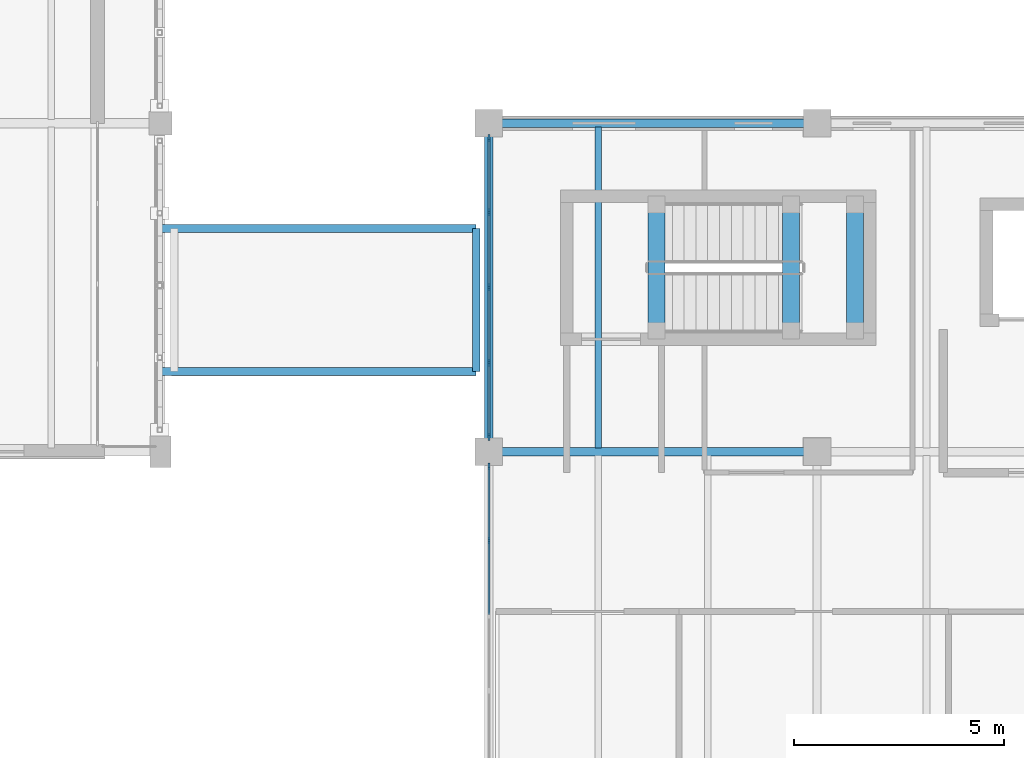
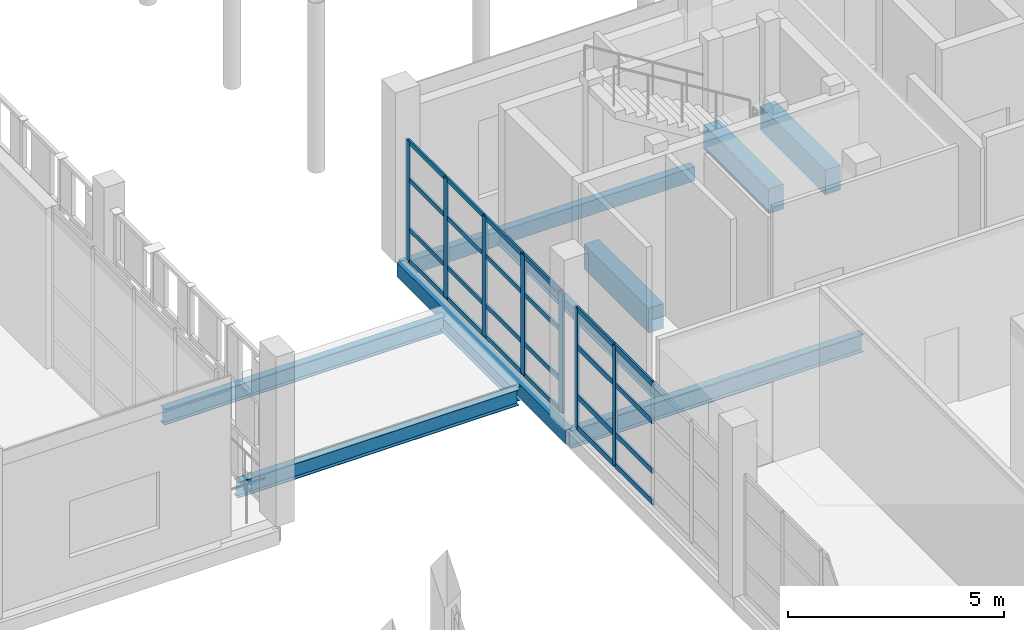
# One storey, part 36 of 138: 31 members, 10 beams, 2 elements without a shape of their own.
"""IFC4 building model written with IfcOpenShell, lengths in metres."""

from ifc_helpers import new_model, si_unit, direction, frame, origin, origin_2d, place, context, subcontext, project, spatial, rectangle, hollow_rectangle, i_section, extrude, material, layer, layer_set, material_profile, profile_set, type_object, element, aggregate, save


model = new_model("IFC4")

# Units and contexts
model_context = context("Model", 3, precision=1e-05, world=origin(), true_north=direction((0.0, 1.0)))
body_context = subcontext(model_context, "Body", "Model", "MODEL_VIEW")
ifc_project = project(units=[si_unit("LENGTHUNIT", "METRE"), si_unit("AREAUNIT", "SQUARE_METRE"), si_unit("VOLUMEUNIT", "CUBIC_METRE"), si_unit("PLANEANGLEUNIT", "RADIAN"), si_unit("MASSUNIT", "GRAM", prefix="KILO")], contexts=[model_context])

# Site, building, storey
site_placement = place(None, origin())
site = spatial("IfcSite", under=ifc_project, at=site_placement, CompositionType="ELEMENT")
building_placement = place(site_placement, origin())
building = spatial("IfcBuilding", under=site, at=building_placement, Name="Celorna Specialist Clinic", CompositionType="ELEMENT")
storey_placement = place(building_placement, frame((0.0, 0.0, 4.800048828125)))
storey = spatial("IfcBuildingStorey", under=building, at=storey_placement, Name="L01", CompositionType="ELEMENT", Elevation=4.800048828125)

# Beams
ifc_material_1 = material(Name="Steel S355", Category="steel")
ifc_material_profile_1 = material_profile(ifc_material_1, i_section(OverallWidth=0.199951171875, OverallDepth=0.5, WebThickness=0.01025390625, FlangeThickness=0.01611328125, at=origin_2d()), Name="IPE 500")
ifc_profile_set_1 = profile_set([ifc_material_profile_1], Name="Steel S355")
beam_type_1 = type_object("IfcBeamType", Name="BM-08", PredefinedType="BEAM", material=ifc_profile_set_1)
beam_1_placement = place(storey_placement, frame((54.60009765625, 35.10009765625, -0.510009765625), z_axis=(1.0, 0.0, 0.0), x_axis=(0.0, 1.0, 0.0)))
element("IfcBeam", 1, at=beam_1_placement, inside=storey, type_object=beam_type_1, Name="Primary girder BM-08 #2071", PredefinedType="BEAM", context=body_context, shape_type="SweptSolid", body=[
    extrude(i_section(OverallWidth=0.199951171875, OverallDepth=0.5, WebThickness=0.01025390625, FlangeThickness=0.01611328125, at=origin_2d()), origin(), (0.0, 0.0, 1.0), 7.7998046875),
])
ifc_material_profile_2 = material_profile(ifc_material_1, i_section(OverallWidth=0.18994140625, OverallDepth=0.449951171875, WebThickness=0.009521484375, FlangeThickness=0.0146484375, at=origin_2d()), Name="IPE 450")
ifc_profile_set_2 = profile_set([ifc_material_profile_2], Name="Steel S355")
beam_type_2 = type_object("IfcBeamType", Name="BM-09", PredefinedType="BEAM", material=ifc_profile_set_2)
for number, where, z_axis, x_axis, name in (
    (2, (46.800048828125, 37.0, -0.364990234375), (1.0, 0.0, 0.0), (0.0, 1.0, 0.0), "Bridge BR-02 edge girder BM-09 #80"),
    (3, (46.800048828125, 40.39990234375, -0.364990234375), (1.0, 0.0, 0.0), (0.0, 1.0, 0.0), "Bridge BR-02 edge girder BM-09 #81"),
):
    element("IfcBeam", number, at=place(storey_placement, frame(where, z_axis=z_axis, x_axis=x_axis)), inside=storey, type_object=beam_type_2, Name=name, PredefinedType="BEAM", context=body_context, shape_type="SweptSolid", body=[
        extrude(i_section(OverallWidth=0.18994140625, OverallDepth=0.449951171875, WebThickness=0.009521484375, FlangeThickness=0.0146484375, at=origin_2d()), origin(), (0.0, 0.0, 1.0), 7.5),
    ])
ifc_material_profile_3 = material_profile(ifc_material_1, i_section(OverallWidth=0.179931640625, OverallDepth=0.39990234375, WebThickness=0.008544921875, FlangeThickness=0.013427734375, at=origin_2d()), Name="IPE 400")
ifc_profile_set_3 = profile_set([ifc_material_profile_3], Name="Steel S355")
beam_type_3 = type_object("IfcBeamType", Name="BM-10", PredefinedType="BEAM", material=ifc_profile_set_3)
beam_2_placement = place(storey_placement, frame((54.300048828125, 37.0, -0.340087890625), z_axis=(0.0, 1.0, 0.0), x_axis=(-1.0, 0.0, 0.0)))
element("IfcBeam", 4, at=beam_2_placement, inside=storey, type_object=beam_type_3, Name="Bridge BR-02 roof end beam BM-10 #83", PredefinedType="BEAM", context=body_context, shape_type="SweptSolid", body=[
    extrude(i_section(OverallWidth=0.179931640625, OverallDepth=0.39990234375, WebThickness=0.008544921875, FlangeThickness=0.013427734375, at=origin_2d()), origin(), (0.0, 0.0, 1.0), 3.39990234375),
])
ifc_material_profile_4 = material_profile(ifc_material_1, i_section(OverallWidth=0.159912109375, OverallDepth=0.330078125, WebThickness=0.007568359375, FlangeThickness=0.011474609375, at=origin_2d()), Name="IPE 330")
ifc_profile_set_4 = profile_set([ifc_material_profile_4], Name="Steel S355")
beam_type_4 = type_object("IfcBeamType", Name="BM-12", PredefinedType="JOIST", material=ifc_profile_set_4)
beam_3_placement = place(storey_placement, frame((57.199951171875, 35.18798828125, -0.425048828125), z_axis=(0.0, 1.0, 0.0), x_axis=(-1.0, 0.0, 0.0)))
element("IfcBeam", 5, at=beam_3_placement, inside=storey, type_object=beam_type_4, Name="Secondary floor joist BM-12 #2097", PredefinedType="JOIST", context=body_context, shape_type="SweptSolid", body=[
    extrude(i_section(OverallWidth=0.159912109375, OverallDepth=0.330078125, WebThickness=0.007568359375, FlangeThickness=0.011474609375, at=origin_2d()), origin(), (0.0, 0.0, 1.0), 7.6240234375),
])
ifc_material_profile_5 = material_profile(ifc_material_1, hollow_rectangle(XDim=0.199951171875, YDim=0.39990234375, WallThickness=0.011962890625, at=origin_2d()), Name="RHS 200x400x12")
ifc_profile_set_5 = profile_set([ifc_material_profile_5], Name="Steel S355")
beam_type_5 = type_object("IfcBeamType", Name="BM-15", PredefinedType="SPANDREL", material=ifc_profile_set_5)
for number, where, z_axis, x_axis, name in (
    (6, (54.60009765625, 42.89990234375, -0.4599609375), (1.0, 0.0, 0.0), (0.0, 1.0, 0.0), "Spandrel beam BM-15 #2075"),
    (7, (54.60009765625, 35.10009765625, -0.4599609375), (0.0, 1.0, 0.0), (-1.0, 0.0, 0.0), "Spandrel beam BM-15 #2081"),
):
    element("IfcBeam", number, at=place(storey_placement, frame(where, z_axis=z_axis, x_axis=x_axis)), inside=storey, type_object=beam_type_5, Name=name, PredefinedType="SPANDREL", context=body_context, shape_type="SweptSolid", body=[
        extrude(hollow_rectangle(XDim=0.199951171875, YDim=0.39990234375, WallThickness=0.011962890625, at=origin_2d()), origin(), (0.0, 0.0, 1.0), 7.7998046875),
    ])
ifc_material_2 = material(Name="Concrete C35/45", Category="concrete")
ifc_material_profile_6 = material_profile(ifc_material_2, rectangle(XDim=0.39990234375, YDim=0.699951171875, at=origin_2d()), Name="RC 400x700")
ifc_profile_set_6 = profile_set([ifc_material_profile_6], Name="Concrete C35/45")
beam_type_6 = type_object("IfcBeamType", Name="BM-19", PredefinedType="BEAM", material=ifc_profile_set_6)
for number, where, z_axis, x_axis, name in (
    (8, (58.580078125, 37.969970703125, -0.275146484375), (0.0, 1.0, 0.0), (-1.0, 0.0, 0.0), "Stair ST-08 floor landing trimmer beam L01"),
    (9, (61.780029296875, 37.969970703125, 1.974853515625), (0.0, 1.0, 0.0), (-1.0, 0.0, 0.0), "Stair ST-08 half-landing beam L01"),
    (10, (63.300048828125, 37.969970703125, 1.974853515625), (0.0, 1.0, 0.0), (-1.0, 0.0, 0.0), "Stair ST-08 half-landing beam L01"),
):
    element("IfcBeam", number, at=place(storey_placement, frame(where, z_axis=z_axis, x_axis=x_axis)), inside=storey, type_object=beam_type_6, Name=name, PredefinedType="BEAM", context=body_context, shape_type="SweptSolid", body=[
        extrude(rectangle(XDim=0.39990234375, YDim=0.699951171875, at=origin_2d()), origin(), (0.0, 0.0, 1.0), 3.0),
    ])

# Curtain wall, members
ifc_material_3 = material(Name="Thermally broken aluminium and solar-control glass curtain wall", Category="aluminium")
ifc_layer_1 = layer(ifc_material_3, 0.159912109375, Name="Thermally broken aluminium and solar-control glass curtain wall")
ifc_layer_set_1 = layer_set([ifc_layer_1], Name="Thermally broken aluminium and solar-control glass curtain wall")
curtain_wall_type_1 = type_object("IfcCurtainWallType", Name="CW-109", PredefinedType="NOTDEFINED", material=ifc_layer_set_1)
curtain_wall_1_placement = place(storey_placement, origin())
curtain_wall_1 = element("IfcCurtainWall", 11, at=curtain_wall_1_placement, inside=storey, type_object=curtain_wall_type_1, Name="Curtain wall CW-109 #191", PredefinedType="NOTDEFINED")
ifc_material_4 = material(Name="Anodized aluminium mullion", Category="aluminium")
ifc_material_profile_7 = material_profile(ifc_material_4, rectangle(XDim=0.050048828125, YDim=0.159912109375, at=origin_2d()), Name="ALU MULLION 50x160")
ifc_profile_set_7 = profile_set([ifc_material_profile_7], Name="Anodized aluminium mullion")
member_type_1 = type_object("IfcMemberType", Name="ML-01", PredefinedType="MULLION", material=ifc_profile_set_7)
member_1_placement = place(storey_placement, frame((54.60009765625, 32.985595703125, 0.0), z_axis=(0.0, 0.0, 1.0), x_axis=(-1.0, 0.0, 0.0)))
member_1 = element("IfcMember", 12, at=member_1_placement, type_object=member_type_1, Name="CW-109 mullion 4", PredefinedType="MULLION", context=body_context, shape_type="SweptSolid", body=[
    extrude(rectangle(XDim=0.050048828125, YDim=0.159912109375, at=origin_2d()), origin(), (0.0, 0.0, 1.0), 3.389892578125),
])
member_2_placement = place(storey_placement, frame((54.60009765625, 34.74609375, 0.0), z_axis=(0.0, 0.0, 1.0), x_axis=(-1.0, 0.0, 0.0)))
member_2 = element("IfcMember", 13, at=member_2_placement, type_object=member_type_1, Name="CW-109 mullion 5", PredefinedType="MULLION", context=body_context, shape_type="SweptSolid", body=[
    extrude(rectangle(XDim=0.050048828125, YDim=0.159912109375, at=origin_2d()), origin(), (0.0, 0.0, 1.0), 3.389892578125),
])

ifc_layer_2 = layer(ifc_material_3, 0.159912109375, Name="Thermally broken aluminium and solar-control glass curtain wall")
ifc_layer_set_2 = layer_set([ifc_layer_2], Name="Thermally broken aluminium and solar-control glass curtain wall")
curtain_wall_type_2 = type_object("IfcCurtainWallType", Name="CW-110", PredefinedType="NOTDEFINED", material=ifc_layer_set_2)
curtain_wall_2_placement = place(storey_placement, origin())
curtain_wall_2 = element("IfcCurtainWall", 14, at=curtain_wall_2_placement, inside=storey, type_object=curtain_wall_type_2, Name="Curtain wall CW-110 #192", PredefinedType="NOTDEFINED")
ifc_material_profile_8 = material_profile(ifc_material_4, rectangle(XDim=0.050048828125, YDim=0.179931640625, at=origin_2d()), Name="ALU MULLION 50x180")
ifc_profile_set_8 = profile_set([ifc_material_profile_8], Name="Anodized aluminium mullion")
member_type_2 = type_object("IfcMemberType", Name="ML-02", PredefinedType="MULLION", material=ifc_profile_set_8)
member_3_placement = place(storey_placement, frame((54.60009765625, 35.4541015625, 0.0), z_axis=(0.0, 0.0, 1.0), x_axis=(-1.0, 0.0, 0.0)))
member_3 = element("IfcMember", 15, at=member_3_placement, type_object=member_type_2, Name="CW-110 mullion 1", PredefinedType="MULLION", context=body_context, shape_type="SweptSolid", body=[
    extrude(rectangle(XDim=0.050048828125, YDim=0.179931640625, at=origin_2d()), origin(), (0.0, 0.0, 1.0), 3.389892578125),
])
member_4_placement = place(storey_placement, frame((54.60009765625, 37.214599609375, 0.0), z_axis=(0.0, 0.0, 1.0), x_axis=(-1.0, 0.0, 0.0)))
member_4 = element("IfcMember", 16, at=member_4_placement, type_object=member_type_2, Name="CW-110 mullion 2", PredefinedType="MULLION", context=body_context, shape_type="SweptSolid", body=[
    extrude(rectangle(XDim=0.050048828125, YDim=0.179931640625, at=origin_2d()), origin(), (0.0, 0.0, 1.0), 3.389892578125),
])
member_5_placement = place(storey_placement, frame((54.60009765625, 39.0, 0.0), z_axis=(0.0, 0.0, 1.0), x_axis=(-1.0, 0.0, 0.0)))
member_5 = element("IfcMember", 17, at=member_5_placement, type_object=member_type_2, Name="CW-110 mullion 3", PredefinedType="MULLION", context=body_context, shape_type="SweptSolid", body=[
    extrude(rectangle(XDim=0.050048828125, YDim=0.179931640625, at=origin_2d()), origin(), (0.0, 0.0, 1.0), 3.389892578125),
])
member_6_placement = place(storey_placement, frame((54.60009765625, 40.785400390625, 0.0), z_axis=(0.0, 0.0, 1.0), x_axis=(-1.0, 0.0, 0.0)))
member_6 = element("IfcMember", 18, at=member_6_placement, type_object=member_type_2, Name="CW-110 mullion 4", PredefinedType="MULLION", context=body_context, shape_type="SweptSolid", body=[
    extrude(rectangle(XDim=0.050048828125, YDim=0.179931640625, at=origin_2d()), origin(), (0.0, 0.0, 1.0), 3.389892578125),
])
member_7_placement = place(storey_placement, frame((54.60009765625, 42.5458984375, 0.0), z_axis=(0.0, 0.0, 1.0), x_axis=(-1.0, 0.0, 0.0)))
member_7 = element("IfcMember", 19, at=member_7_placement, type_object=member_type_2, Name="CW-110 mullion 5", PredefinedType="MULLION", context=body_context, shape_type="SweptSolid", body=[
    extrude(rectangle(XDim=0.050048828125, YDim=0.179931640625, at=origin_2d()), origin(), (0.0, 0.0, 1.0), 3.389892578125),
])
ifc_material_5 = material(Name="Anodized aluminium transom", Category="aluminium")
ifc_material_profile_9 = material_profile(ifc_material_5, rectangle(XDim=0.050048828125, YDim=0.1298828125, at=origin_2d()), Name="ALU TRANSOM 50x130")
ifc_profile_set_9 = profile_set([ifc_material_profile_9], Name="Anodized aluminium transom")
member_type_3 = type_object("IfcMemberType", Name="TR-01", PredefinedType="USERDEFINED", material=ifc_profile_set_9)
member_8_placement = place(storey_placement, frame((54.60009765625, 35.47900390625, 0.02490234375), z_axis=(0.0, 1.0, 0.0), x_axis=(-1.0, 0.0, 0.0)))
member_8 = element("IfcMember", 20, at=member_8_placement, type_object=member_type_3, Name="CW-110 transom 1.1", ObjectType="TRANSOM", PredefinedType="USERDEFINED", context=body_context, shape_type="SweptSolid", body=[
    extrude(rectangle(XDim=0.050048828125, YDim=0.1298828125, at=origin_2d()), origin(), (0.0, 0.0, 1.0), 1.71044921875),
])
member_9_placement = place(storey_placement, frame((54.60009765625, 35.47900390625, 0.89990234375), z_axis=(0.0, 1.0, 0.0), x_axis=(-1.0, 0.0, 0.0)))
member_9 = element("IfcMember", 21, at=member_9_placement, type_object=member_type_3, Name="CW-110 transom 1.2", ObjectType="TRANSOM", PredefinedType="USERDEFINED", context=body_context, shape_type="SweptSolid", body=[
    extrude(rectangle(XDim=0.050048828125, YDim=0.1298828125, at=origin_2d()), origin(), (0.0, 0.0, 1.0), 1.71044921875),
])
member_10_placement = place(storey_placement, frame((54.60009765625, 35.47900390625, 2.300048828125), z_axis=(0.0, 1.0, 0.0), x_axis=(-1.0, 0.0, 0.0)))
member_10 = element("IfcMember", 22, at=member_10_placement, type_object=member_type_3, Name="CW-110 transom 1.3", ObjectType="TRANSOM", PredefinedType="USERDEFINED", context=body_context, shape_type="SweptSolid", body=[
    extrude(rectangle(XDim=0.050048828125, YDim=0.1298828125, at=origin_2d()), origin(), (0.0, 0.0, 1.0), 1.71044921875),
])
member_11_placement = place(storey_placement, frame((54.60009765625, 35.47900390625, 3.364990234375), z_axis=(0.0, 1.0, 0.0), x_axis=(-1.0, 0.0, 0.0)))
member_11 = element("IfcMember", 23, at=member_11_placement, type_object=member_type_3, Name="CW-110 transom 1.4", ObjectType="TRANSOM", PredefinedType="USERDEFINED", context=body_context, shape_type="SweptSolid", body=[
    extrude(rectangle(XDim=0.050048828125, YDim=0.1298828125, at=origin_2d()), origin(), (0.0, 0.0, 1.0), 1.71044921875),
])
member_12_placement = place(storey_placement, frame((54.60009765625, 37.239501953125, 0.02490234375), z_axis=(0.0, 1.0, 0.0), x_axis=(-1.0, 0.0, 0.0)))
member_12 = element("IfcMember", 24, at=member_12_placement, type_object=member_type_3, Name="CW-110 transom 2.1", ObjectType="TRANSOM", PredefinedType="USERDEFINED", context=body_context, shape_type="SweptSolid", body=[
    extrude(rectangle(XDim=0.050048828125, YDim=0.1298828125, at=origin_2d()), origin(), (0.0, 0.0, 1.0), 1.735595703125),
])
member_13_placement = place(storey_placement, frame((54.60009765625, 37.239501953125, 0.89990234375), z_axis=(0.0, 1.0, 0.0), x_axis=(-1.0, 0.0, 0.0)))
member_13 = element("IfcMember", 25, at=member_13_placement, type_object=member_type_3, Name="CW-110 transom 2.2", ObjectType="TRANSOM", PredefinedType="USERDEFINED", context=body_context, shape_type="SweptSolid", body=[
    extrude(rectangle(XDim=0.050048828125, YDim=0.1298828125, at=origin_2d()), origin(), (0.0, 0.0, 1.0), 1.735595703125),
])
member_14_placement = place(storey_placement, frame((54.60009765625, 37.239501953125, 2.300048828125), z_axis=(0.0, 1.0, 0.0), x_axis=(-1.0, 0.0, 0.0)))
member_14 = element("IfcMember", 26, at=member_14_placement, type_object=member_type_3, Name="CW-110 transom 2.3", ObjectType="TRANSOM", PredefinedType="USERDEFINED", context=body_context, shape_type="SweptSolid", body=[
    extrude(rectangle(XDim=0.050048828125, YDim=0.1298828125, at=origin_2d()), origin(), (0.0, 0.0, 1.0), 1.735595703125),
])
member_15_placement = place(storey_placement, frame((54.60009765625, 37.239501953125, 3.364990234375), z_axis=(0.0, 1.0, 0.0), x_axis=(-1.0, 0.0, 0.0)))
member_15 = element("IfcMember", 27, at=member_15_placement, type_object=member_type_3, Name="CW-110 transom 2.4", ObjectType="TRANSOM", PredefinedType="USERDEFINED", context=body_context, shape_type="SweptSolid", body=[
    extrude(rectangle(XDim=0.050048828125, YDim=0.1298828125, at=origin_2d()), origin(), (0.0, 0.0, 1.0), 1.735595703125),
])
member_16_placement = place(storey_placement, frame((54.60009765625, 39.02490234375, 0.02490234375), z_axis=(0.0, 1.0, 0.0), x_axis=(-1.0, 0.0, 0.0)))
member_16 = element("IfcMember", 28, at=member_16_placement, type_object=member_type_3, Name="CW-110 transom 3.1", ObjectType="TRANSOM", PredefinedType="USERDEFINED", context=body_context, shape_type="SweptSolid", body=[
    extrude(rectangle(XDim=0.050048828125, YDim=0.1298828125, at=origin_2d()), origin(), (0.0, 0.0, 1.0), 1.735595703125),
])
member_17_placement = place(storey_placement, frame((54.60009765625, 39.02490234375, 0.89990234375), z_axis=(0.0, 1.0, 0.0), x_axis=(-1.0, 0.0, 0.0)))
member_17 = element("IfcMember", 29, at=member_17_placement, type_object=member_type_3, Name="CW-110 transom 3.2", ObjectType="TRANSOM", PredefinedType="USERDEFINED", context=body_context, shape_type="SweptSolid", body=[
    extrude(rectangle(XDim=0.050048828125, YDim=0.1298828125, at=origin_2d()), origin(), (0.0, 0.0, 1.0), 1.735595703125),
])
member_18_placement = place(storey_placement, frame((54.60009765625, 39.02490234375, 2.300048828125), z_axis=(0.0, 1.0, 0.0), x_axis=(-1.0, 0.0, 0.0)))
member_18 = element("IfcMember", 30, at=member_18_placement, type_object=member_type_3, Name="CW-110 transom 3.3", ObjectType="TRANSOM", PredefinedType="USERDEFINED", context=body_context, shape_type="SweptSolid", body=[
    extrude(rectangle(XDim=0.050048828125, YDim=0.1298828125, at=origin_2d()), origin(), (0.0, 0.0, 1.0), 1.735595703125),
])
member_19_placement = place(storey_placement, frame((54.60009765625, 39.02490234375, 3.364990234375), z_axis=(0.0, 1.0, 0.0), x_axis=(-1.0, 0.0, 0.0)))
member_19 = element("IfcMember", 31, at=member_19_placement, type_object=member_type_3, Name="CW-110 transom 3.4", ObjectType="TRANSOM", PredefinedType="USERDEFINED", context=body_context, shape_type="SweptSolid", body=[
    extrude(rectangle(XDim=0.050048828125, YDim=0.1298828125, at=origin_2d()), origin(), (0.0, 0.0, 1.0), 1.735595703125),
])
member_20_placement = place(storey_placement, frame((54.60009765625, 40.810546875, 0.02490234375), z_axis=(0.0, 1.0, 0.0), x_axis=(-1.0, 0.0, 0.0)))
member_20 = element("IfcMember", 32, at=member_20_placement, type_object=member_type_3, Name="CW-110 transom 4.1", ObjectType="TRANSOM", PredefinedType="USERDEFINED", context=body_context, shape_type="SweptSolid", body=[
    extrude(rectangle(XDim=0.050048828125, YDim=0.1298828125, at=origin_2d()), origin(), (0.0, 0.0, 1.0), 1.71044921875),
])
member_21_placement = place(storey_placement, frame((54.60009765625, 40.810546875, 0.89990234375), z_axis=(0.0, 1.0, 0.0), x_axis=(-1.0, 0.0, 0.0)))
member_21 = element("IfcMember", 33, at=member_21_placement, type_object=member_type_3, Name="CW-110 transom 4.2", ObjectType="TRANSOM", PredefinedType="USERDEFINED", context=body_context, shape_type="SweptSolid", body=[
    extrude(rectangle(XDim=0.050048828125, YDim=0.1298828125, at=origin_2d()), origin(), (0.0, 0.0, 1.0), 1.71044921875),
])
member_22_placement = place(storey_placement, frame((54.60009765625, 40.810546875, 2.300048828125), z_axis=(0.0, 1.0, 0.0), x_axis=(-1.0, 0.0, 0.0)))
member_22 = element("IfcMember", 34, at=member_22_placement, type_object=member_type_3, Name="CW-110 transom 4.3", ObjectType="TRANSOM", PredefinedType="USERDEFINED", context=body_context, shape_type="SweptSolid", body=[
    extrude(rectangle(XDim=0.050048828125, YDim=0.1298828125, at=origin_2d()), origin(), (0.0, 0.0, 1.0), 1.71044921875),
])
member_23_placement = place(storey_placement, frame((54.60009765625, 40.810546875, 3.364990234375), z_axis=(0.0, 1.0, 0.0), x_axis=(-1.0, 0.0, 0.0)))
member_23 = element("IfcMember", 35, at=member_23_placement, type_object=member_type_3, Name="CW-110 transom 4.4", ObjectType="TRANSOM", PredefinedType="USERDEFINED", context=body_context, shape_type="SweptSolid", body=[
    extrude(rectangle(XDim=0.050048828125, YDim=0.1298828125, at=origin_2d()), origin(), (0.0, 0.0, 1.0), 1.71044921875),
])
aggregate(curtain_wall_2, [member_3, member_4, member_5, member_6, member_7, member_8, member_9, member_10, member_11, member_12, member_13, member_14, member_15, member_16, member_17, member_18, member_19, member_20, member_21, member_22, member_23])

# Member
ifc_material_profile_10 = material_profile(ifc_material_5, rectangle(XDim=0.050048828125, YDim=0.14990234375, at=origin_2d()), Name="ALU TRANSOM 50x150")
ifc_profile_set_10 = profile_set([ifc_material_profile_10], Name="Anodized aluminium transom")
member_type_4 = type_object("IfcMemberType", Name="TR-02", PredefinedType="USERDEFINED", material=ifc_profile_set_10)
member_24_placement = place(storey_placement, frame((54.60009765625, 31.22509765625, 0.02490234375), z_axis=(0.0, 1.0, 0.0), x_axis=(-1.0, 0.0, 0.0)))
member_24 = element("IfcMember", 36, at=member_24_placement, type_object=member_type_4, Name="CW-109 transom 3.1", ObjectType="TRANSOM", PredefinedType="USERDEFINED", context=body_context, shape_type="SweptSolid", body=[
    extrude(rectangle(XDim=0.050048828125, YDim=0.14990234375, at=origin_2d()), origin(), (0.0, 0.0, 1.0), 1.7353515625),
])

member_25_placement = place(storey_placement, frame((54.60009765625, 31.22509765625, 0.89990234375), z_axis=(0.0, 1.0, 0.0), x_axis=(-1.0, 0.0, 0.0)))
member_25 = element("IfcMember", 37, at=member_25_placement, type_object=member_type_4, Name="CW-109 transom 3.2", ObjectType="TRANSOM", PredefinedType="USERDEFINED", context=body_context, shape_type="SweptSolid", body=[
    extrude(rectangle(XDim=0.050048828125, YDim=0.14990234375, at=origin_2d()), origin(), (0.0, 0.0, 1.0), 1.7353515625),
])

member_26_placement = place(storey_placement, frame((54.60009765625, 31.22509765625, 2.300048828125), z_axis=(0.0, 1.0, 0.0), x_axis=(-1.0, 0.0, 0.0)))
member_26 = element("IfcMember", 38, at=member_26_placement, type_object=member_type_4, Name="CW-109 transom 3.3", ObjectType="TRANSOM", PredefinedType="USERDEFINED", context=body_context, shape_type="SweptSolid", body=[
    extrude(rectangle(XDim=0.050048828125, YDim=0.14990234375, at=origin_2d()), origin(), (0.0, 0.0, 1.0), 1.7353515625),
])

member_27_placement = place(storey_placement, frame((54.60009765625, 31.22509765625, 3.364990234375), z_axis=(0.0, 1.0, 0.0), x_axis=(-1.0, 0.0, 0.0)))
member_27 = element("IfcMember", 39, at=member_27_placement, type_object=member_type_4, Name="CW-109 transom 3.4", ObjectType="TRANSOM", PredefinedType="USERDEFINED", context=body_context, shape_type="SweptSolid", body=[
    extrude(rectangle(XDim=0.050048828125, YDim=0.14990234375, at=origin_2d()), origin(), (0.0, 0.0, 1.0), 1.7353515625),
])

member_28_placement = place(storey_placement, frame((54.60009765625, 33.010498046875, 0.02490234375), z_axis=(0.0, 1.0, 0.0), x_axis=(-1.0, 0.0, 0.0)))
member_28 = element("IfcMember", 40, at=member_28_placement, type_object=member_type_4, Name="CW-109 transom 4.1", ObjectType="TRANSOM", PredefinedType="USERDEFINED", context=body_context, shape_type="SweptSolid", body=[
    extrude(rectangle(XDim=0.050048828125, YDim=0.14990234375, at=origin_2d()), origin(), (0.0, 0.0, 1.0), 1.71044921875),
])

member_29_placement = place(storey_placement, frame((54.60009765625, 33.010498046875, 0.89990234375), z_axis=(0.0, 1.0, 0.0), x_axis=(-1.0, 0.0, 0.0)))
member_29 = element("IfcMember", 41, at=member_29_placement, type_object=member_type_4, Name="CW-109 transom 4.2", ObjectType="TRANSOM", PredefinedType="USERDEFINED", context=body_context, shape_type="SweptSolid", body=[
    extrude(rectangle(XDim=0.050048828125, YDim=0.14990234375, at=origin_2d()), origin(), (0.0, 0.0, 1.0), 1.71044921875),
])

member_30_placement = place(storey_placement, frame((54.60009765625, 33.010498046875, 2.300048828125), z_axis=(0.0, 1.0, 0.0), x_axis=(-1.0, 0.0, 0.0)))
member_30 = element("IfcMember", 42, at=member_30_placement, type_object=member_type_4, Name="CW-109 transom 4.3", ObjectType="TRANSOM", PredefinedType="USERDEFINED", context=body_context, shape_type="SweptSolid", body=[
    extrude(rectangle(XDim=0.050048828125, YDim=0.14990234375, at=origin_2d()), origin(), (0.0, 0.0, 1.0), 1.71044921875),
])

member_31_placement = place(storey_placement, frame((54.60009765625, 33.010498046875, 3.364990234375), z_axis=(0.0, 1.0, 0.0), x_axis=(-1.0, 0.0, 0.0)))
member_31 = element("IfcMember", 43, at=member_31_placement, type_object=member_type_4, Name="CW-109 transom 4.4", ObjectType="TRANSOM", PredefinedType="USERDEFINED", context=body_context, shape_type="SweptSolid", body=[
    extrude(rectangle(XDim=0.050048828125, YDim=0.14990234375, at=origin_2d()), origin(), (0.0, 0.0, 1.0), 1.71044921875),
])

aggregate(curtain_wall_1, [member_1, member_2, member_24, member_25, member_26, member_27, member_28, member_29, member_30, member_31])

save(model, "model.ifc")
